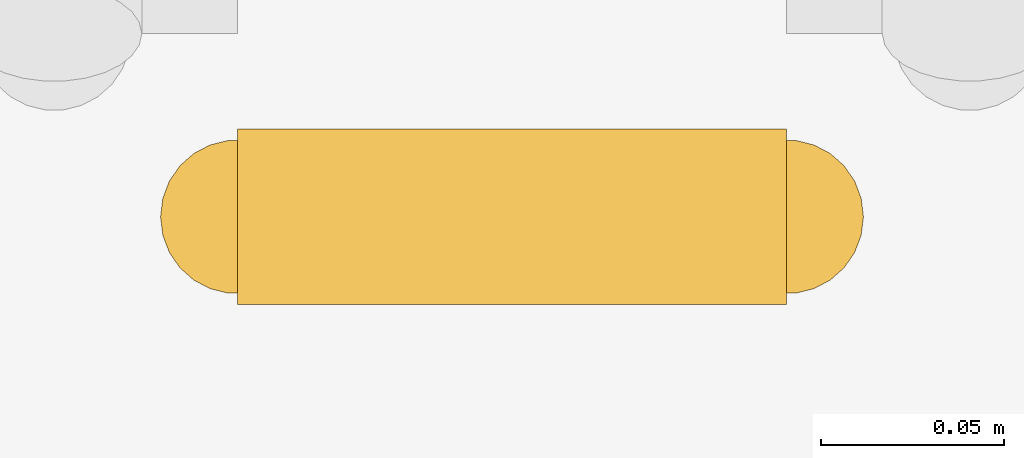
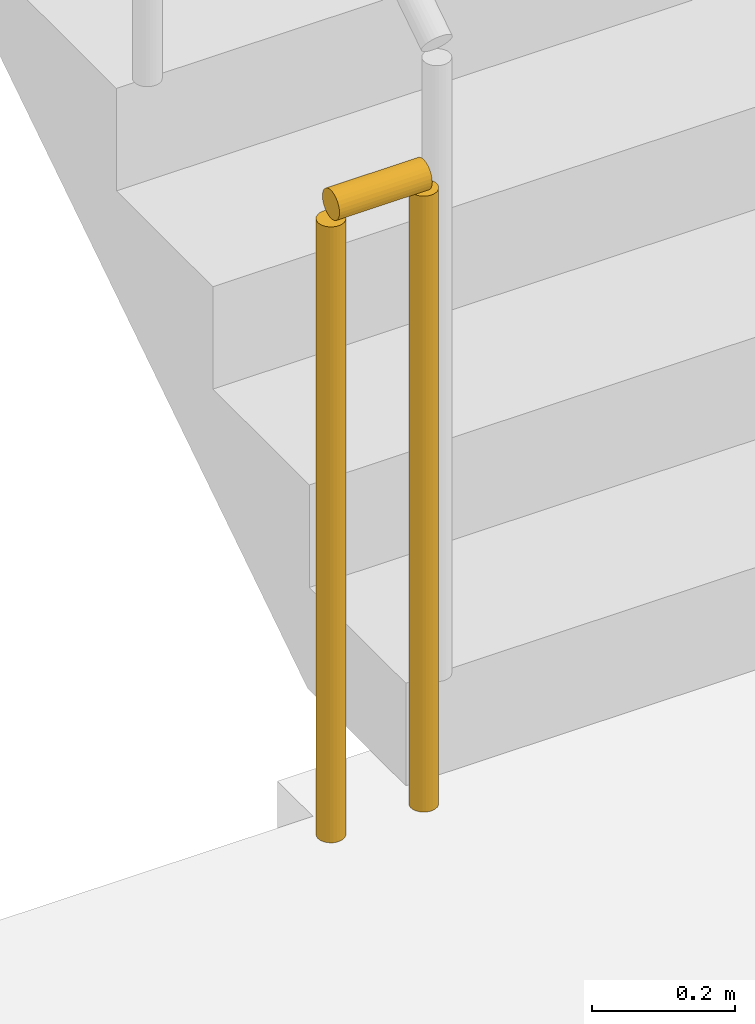
# One storey, part 16 of 19: 1 railing.
"""IFC4 building model written with IfcOpenShell, lengths in metres."""

from ifc_helpers import new_model, si_unit, direction, frame, origin, origin_2d, place, context, subcontext, project, spatial, circle, extrude, material, type_object, element, save


model = new_model("IFC4")

# Units and contexts
model_context = context("Model", 3, precision=1e-05, world=origin(), true_north=direction((0.0, 1.0)))
body_context = subcontext(model_context, "Body", "Model", "MODEL_VIEW")
ifc_project = project(units=[si_unit("LENGTHUNIT", "METRE"), si_unit("AREAUNIT", "SQUARE_METRE"), si_unit("VOLUMEUNIT", "CUBIC_METRE"), si_unit("PLANEANGLEUNIT", "RADIAN"), si_unit("MASSUNIT", "GRAM", prefix="KILO")], contexts=[model_context])

# Site, building, storey
site_placement = place(None, origin())
site = spatial("IfcSite", under=ifc_project, at=site_placement, CompositionType="ELEMENT")
building_placement = place(site_placement, origin())
building = spatial("IfcBuilding", under=site, at=building_placement, Name="Saffron Iwan Residences", CompositionType="ELEMENT")
storey_placement = place(building_placement, frame((0.0, 0.0, 225.5)))
storey = spatial("IfcBuildingStorey", under=building, at=storey_placement, Name="L60", CompositionType="ELEMENT", Elevation=225.5)

# Railing
ifc_material = material(Name="Steel S355", Category="steel")
railing_type = type_object("IfcRailingType", Name="Stair guard 1100", PredefinedType="GUARDRAIL", material=ifc_material)
railing_placement = place(storey_placement, frame((69.699951171875, 67.800048828125, 0.0)))
element("IfcRailing", 1, at=railing_placement, inside=storey, type_object=railing_type, Name="L60 ST-E stair guard 2", PredefinedType="GUARDRAIL", context=body_context, shape_type="SweptSolid", body=[
    extrude(circle(Radius=0.02392578125, at=origin_2d()), frame((0.0, 0.0, 1.076171875), z_axis=(-1.0, 0.0, 0.0), x_axis=(0.0, -1.0, 0.0)), (0.0, 0.0, 1.0), 0.14990234375),
    extrude(circle(Radius=0.02099609375, at=origin_2d()), origin(), (0.0, 0.0, 1.0), 1.052001953125),
    extrude(circle(Radius=0.02099609375, at=origin_2d()), frame((-0.14990234375, 0.0, 0.0)), (0.0, 0.0, 1.0), 1.052001953125),
])

save(model, "model.ifc")
